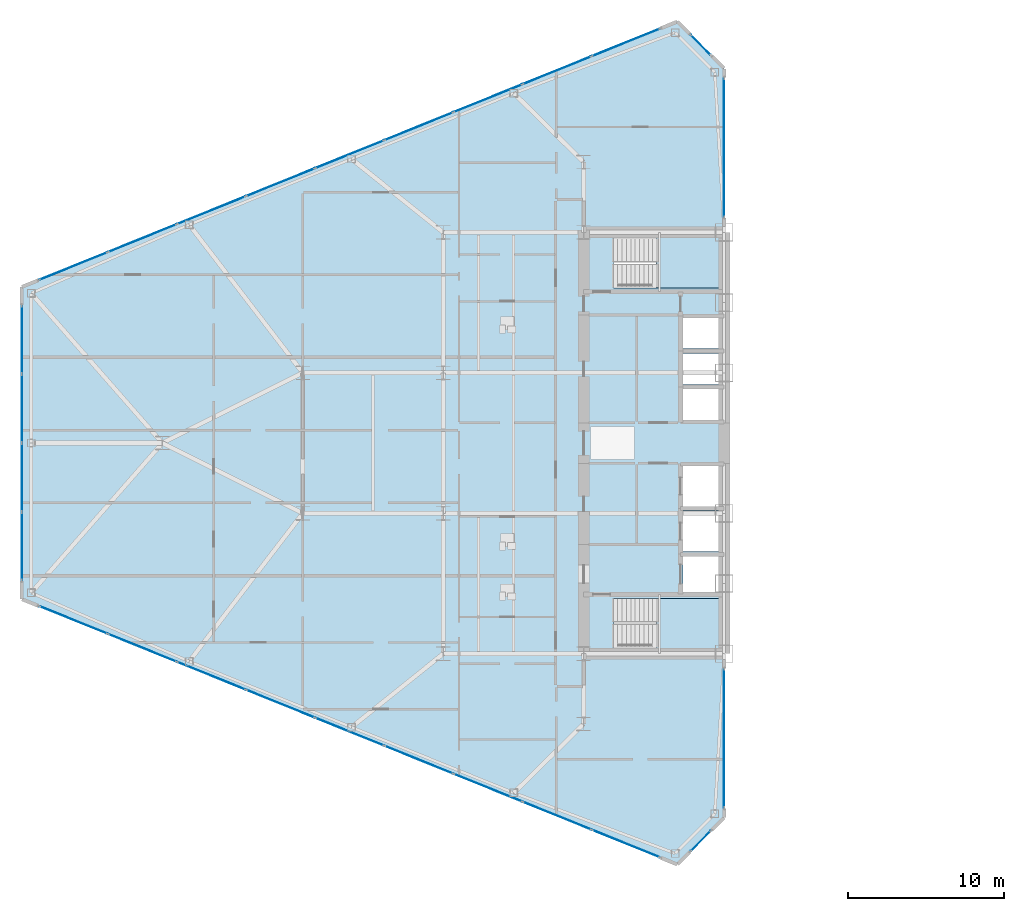
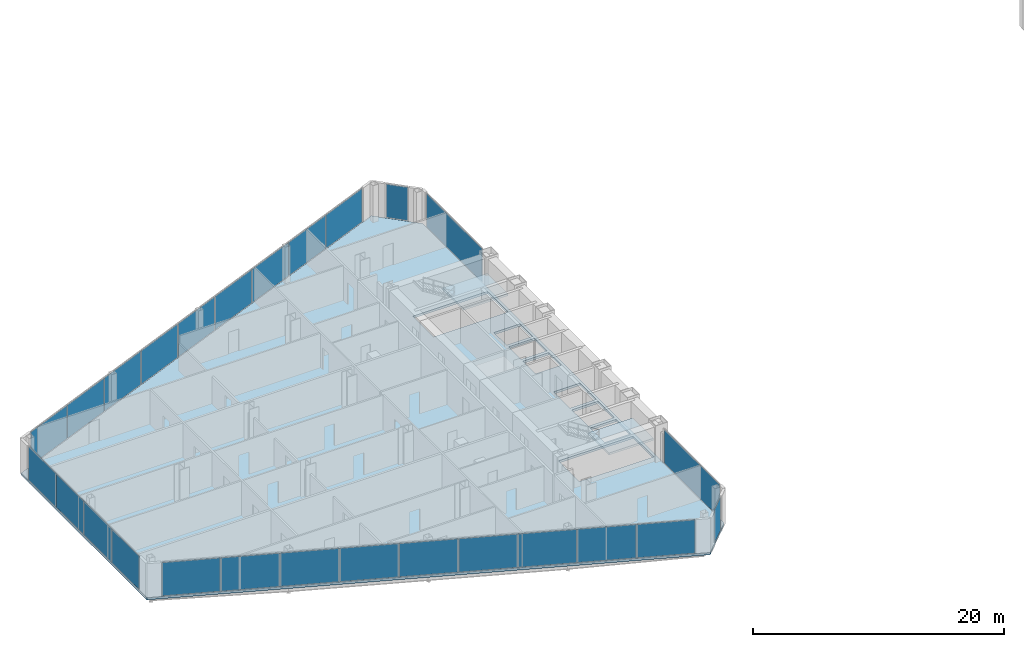
# One storey, part 15 of 25: 26 plates, 3 slabs, 9 elements without a shape of their own.
"""IFC4 building model written with IfcOpenShell, lengths in metres."""

import ifcopenshell
import ifcopenshell.guid

model = None  # the IFC model being written
_history = None  # IfcOwnerHistory: only IFC2X3 demands one
_inside = {}  # id of a spatial element -> (the spatial element, [elements in it])
_under = {}  # id of a project, library or spatial element -> (it, [spatial elements below it])
_declared = {}  # id of a project -> (the project, [libraries it declares])
_typed = {}  # id of a type object -> (the type object, [elements of that type])
_made_of = {}  # id of a material, layer set ... -> (it, [elements and type objects made of it])


def new_model(schema):
    """Start an empty IFC model of exactly this schema.

    Asked for "IFC4X3", IfcOpenShell would pick the latest addendum, in which some entities
    have other attributes; the version numbers below select the first issue.
    IFC2X3 requires an IfcOwnerHistory on every rooted entity: one is made here for all.
    """
    global model, _history
    if schema == "IFC4X3":
        model = ifcopenshell.file(schema_version=(4, 3, 0, 0))
    else:
        model = ifcopenshell.file(schema=schema)
    _inside.clear()
    _under.clear()
    _declared.clear()
    _typed.clear()
    _made_of.clear()
    _history = None
    if model.schema == "IFC2X3":
        org = make("IfcOrganization", Name="unknown")
        user = make(
            "IfcPersonAndOrganization",
            ThePerson=make("IfcPerson", FamilyName="unknown"),
            TheOrganization=org,
        )
        app = make(
            "IfcApplication",
            ApplicationDeveloper=org,
            Version="unknown",
            ApplicationFullName="unknown",
            ApplicationIdentifier="unknown",
        )
        _history = make(
            "IfcOwnerHistory",
            OwningUser=user,
            OwningApplication=app,
            ChangeAction="ADDED",
            CreationDate=0,
        )
    return model


def make(cls, **values):
    """One entity of the class cls with the attributes given. An attribute that is None is left unset."""
    return model.create_entity(
        cls, **{name: value for name, value in values.items() if value is not None}
    )


def rooted(cls, **values):
    """An entity with a GlobalId (a new one), such as an element, a storey or a relation."""
    return make(cls, GlobalId=ifcopenshell.guid.new(), OwnerHistory=_history, **values)


def si_unit(unit_type, name, prefix=None):
    """IfcSIUnit, for example si_unit("LENGTHUNIT", "METRE", prefix="MILLI")."""
    return make("IfcSIUnit", UnitType=unit_type, Prefix=prefix, Name=name)


def assignment(units):
    """IfcUnitAssignment: the units of a project."""
    return None if units is None else make("IfcUnitAssignment", Units=units)


def point(xyz):
    """IfcCartesianPoint."""
    return None if xyz is None else make("IfcCartesianPoint", Coordinates=xyz)


def direction(xyz):
    """IfcDirection."""
    return None if xyz is None else make("IfcDirection", DirectionRatios=xyz)


def frame(location, z_axis=None, x_axis=None):
    """IfcAxis2Placement3D, a coordinate frame: its origin and axes. An axis left out is left unset."""
    return make(
        "IfcAxis2Placement3D",
        Location=point(location),
        Axis=direction(z_axis),
        RefDirection=direction(x_axis),
    )


def frame_2d(location, x_axis=None):
    """IfcAxis2Placement2D, a coordinate frame in the plane: its origin and x axis."""
    return make(
        "IfcAxis2Placement2D", Location=point(location), RefDirection=direction(x_axis)
    )


def origin():
    """The frame at (0, 0, 0) with its axes left unset."""
    return frame((0.0, 0.0, 0.0))


def origin_2d():
    """The frame at (0, 0) in the plane with its x axis left unset."""
    return frame_2d((0.0, 0.0))


def place(relative_to, where):
    """IfcLocalPlacement: puts the frame where relative to a parent placement (None: the world)."""
    return make(
        "IfcLocalPlacement", PlacementRelTo=relative_to, RelativePlacement=where
    )


def context(
    kind, dimensions, precision=None, world=None, true_north=None, identifier=None
):
    """IfcGeometricRepresentationContext, for example the 3D "Model" context."""
    return make(
        "IfcGeometricRepresentationContext",
        ContextIdentifier=identifier,
        ContextType=kind,
        CoordinateSpaceDimension=dimensions,
        Precision=precision,
        WorldCoordinateSystem=world,
        TrueNorth=true_north,
    )


def subcontext(parent, identifier, kind, view, scale=None):
    """IfcGeometricRepresentationSubContext, for example "Body" below "Model"."""
    return make(
        "IfcGeometricRepresentationSubContext",
        ContextIdentifier=identifier,
        ContextType=kind,
        ParentContext=parent,
        TargetScale=scale,
        TargetView=view,
    )


def project(units=None, contexts=None):
    """IfcProject with its units and contexts."""
    return rooted(
        "IfcProject",
        Name="project",
        RepresentationContexts=contexts,
        UnitsInContext=assignment(units),
    )


def spatial(cls, under=None, at=None, **own):
    """A site, building, storey or space (cls), placed at a placement, below another one or the project."""
    s = rooted(cls, ObjectPlacement=at, **own)
    if under is not None:
        _under.setdefault(under.id(), (under, []))[1].append(s)
    return s


def polyline(points):
    """IfcPolyline through the points."""
    return make("IfcPolyline", Points=[point(p) for p in points])


def profile(cls, at=None, kind="AREA", **sizes):
    """A parametric profile (cls). Its sizes go by their IFC names, for example OverallWidth=200.0."""
    return make(cls, ProfileType=kind, Position=at, **sizes)


def rectangle(**sizes):
    """IfcRectangleProfileDef."""
    return profile("IfcRectangleProfileDef", **sizes)


def outline(outer, holes=None, kind="AREA"):
    """IfcArbitraryClosedProfileDef: a profile drawn as a closed curve; with holes, ...WithVoids."""
    if holes is None:
        return make("IfcArbitraryClosedProfileDef", ProfileType=kind, OuterCurve=outer)
    return make(
        "IfcArbitraryProfileDefWithVoids",
        ProfileType=kind,
        OuterCurve=outer,
        InnerCurves=holes,
    )


def extrude(swept, where, along, depth):
    """IfcExtrudedAreaSolid: the profile swept, set in the frame where, extruded along a direction by depth."""
    return make(
        "IfcExtrudedAreaSolid",
        SweptArea=swept,
        Position=where,
        ExtrudedDirection=direction(along),
        Depth=depth,
    )


def shape(context_of_items, identifier, shape_type, items):
    """IfcShapeRepresentation: the items that make up one representation, for example the "Body"."""
    return make(
        "IfcShapeRepresentation",
        ContextOfItems=context_of_items,
        RepresentationIdentifier=identifier,
        RepresentationType=shape_type,
        Items=items,
    )


def source(mapping_origin, context_of_items, identifier, shape_type, items):
    """IfcRepresentationMap: a shape defined once, which mapped items show again and again."""
    return make(
        "IfcRepresentationMap",
        MappingOrigin=mapping_origin,
        MappedRepresentation=shape(context_of_items, identifier, shape_type, items),
    )


def transform(
    local_origin,
    x_axis=None,
    y_axis=None,
    z_axis=None,
    scale=None,
    scale2=None,
    scale3=None,
    uniform=True,
):
    """IfcCartesianTransformationOperator3D, or its non-uniform kind. x_axis, y_axis, z_axis: its Axis1, 2, 3."""
    if uniform:
        return make(
            "IfcCartesianTransformationOperator3D",
            Axis1=direction(x_axis),
            Axis2=direction(y_axis),
            LocalOrigin=point(local_origin),
            Scale=scale,
            Axis3=direction(z_axis),
        )
    return make(
        "IfcCartesianTransformationOperator3DnonUniform",
        Axis1=direction(x_axis),
        Axis2=direction(y_axis),
        LocalOrigin=point(local_origin),
        Scale=scale,
        Axis3=direction(z_axis),
        Scale2=scale2,
        Scale3=scale3,
    )


def mapped(mapping_source, mapping_target):
    """IfcMappedItem: shows the shape of a source again, moved by a transform."""
    return make(
        "IfcMappedItem", MappingSource=mapping_source, MappingTarget=mapping_target
    )


def material(Name=None, Category=None):
    """IfcMaterial."""
    return make("IfcMaterial", Name=Name, Category=Category)


def layer(
    of_material, thickness, ventilated=None, Name=None, Category=None, Priority=None
):
    """IfcMaterialLayer: one layer of a wall or slab, of a material (None: an air gap)."""
    return make(
        "IfcMaterialLayer",
        Material=of_material,
        LayerThickness=thickness,
        IsVentilated=ventilated,
        Name=Name,
        Category=Category,
        Priority=Priority,
    )


def layer_set(layers, Name=None):
    """IfcMaterialLayerSet."""
    return make("IfcMaterialLayerSet", MaterialLayers=layers, LayerSetName=Name)


def made_of(thing, what):
    """Note that an element or type object is made of a material, layer set ...; save() writes the relation."""
    if what is not None:
        _made_of.setdefault(what.id(), (what, []))[1].append(thing)
    return thing


def type_object(cls, material=None, **own):
    """A type object (cls), such as IfcWallType, which elements share."""
    return made_of(rooted(cls, **own), material)


def type_shapes(of_type, sources):
    """Give a type object the sources (RepresentationMaps) that its elements show as mapped items."""
    of_type.RepresentationMaps = sources


def element(
    cls,
    number,
    at=None,
    inside=None,
    cuts=None,
    type_object=None,
    material=None,
    context=None,
    identifier="Body",
    shape_type=None,
    held_by="IfcProductDefinitionShape",
    body=None,
    shapes=None,
    **own,
):
    """One element of the class cls, such as IfcWall. Its Tag is "e" and its number.

    at: its placement. inside: the storey or other place that contains it. cuts: it is an
    opening in that element (IfcRelVoidsElement). A single representation is given by context,
    identifier, shape_type and body (its items); several are given by shapes. held_by: the class
    of the entity that holds the representations. save() writes the other relations.
    """
    e = rooted(cls, Tag="e%d" % number, ObjectPlacement=at, **own)
    if body is not None:
        shapes = [shape(context, identifier, shape_type, body)]
    if shapes is not None:
        e.Representation = make(held_by, Representations=shapes)
    if inside is not None:
        _inside.setdefault(inside.id(), (inside, []))[1].append(e)
    if cuts is not None:
        rooted(
            "IfcRelVoidsElement", RelatingBuildingElement=cuts, RelatedOpeningElement=e
        )
    if type_object is not None:
        _typed.setdefault(type_object.id(), (type_object, []))[1].append(e)
    return made_of(e, material)


def aggregate(whole, parts):
    """IfcRelAggregates: a whole, such as a stair, and the parts it consists of."""
    return rooted("IfcRelAggregates", RelatingObject=whole, RelatedObjects=parts)


def save(model, path):
    """Write the relations noted so far, then the file.

    IfcRelAggregates (storeys below a building ...), IfcRelContainedInSpatialStructure (elements
    in a storey), IfcRelDefinesByType, IfcRelAssociatesMaterial and IfcRelDeclares: one each for
    every whole, place, type object, material and project.
    """
    for whole, parts in _under.values():
        aggregate(whole, parts)
    for where, things in _inside.values():
        rooted(
            "IfcRelContainedInSpatialStructure",
            RelatedElements=things,
            RelatingStructure=where,
        )
    for kind, things in _typed.values():
        rooted("IfcRelDefinesByType", RelatedObjects=things, RelatingType=kind)
    for what, things in _made_of.values():
        rooted("IfcRelAssociatesMaterial", RelatedObjects=things, RelatingMaterial=what)
    for by, libraries in _declared.values():
        rooted("IfcRelDeclares", RelatingContext=by, RelatedDefinitions=libraries)
    model.write(path)


model = new_model("IFC4")

# Units and contexts
model_context = context("Model", 3, precision=1e-05, world=origin(), true_north=direction((0.0, 1.0)))
body_context = subcontext(model_context, "Body", "Model", "MODEL_VIEW")
ifc_project = project(units=[si_unit("LENGTHUNIT", "METRE"), si_unit("AREAUNIT", "SQUARE_METRE"), si_unit("VOLUMEUNIT", "CUBIC_METRE"), si_unit("PLANEANGLEUNIT", "RADIAN"), si_unit("MASSUNIT", "GRAM", prefix="KILO")], contexts=[model_context])

# Site, building, storey
site_placement = place(None, origin())
site = spatial("IfcSite", under=ifc_project, at=site_placement, CompositionType="ELEMENT")
building_placement = place(site_placement, origin())
building = spatial("IfcBuilding", under=site, at=building_placement, Name="Seokmaru Belvedere", CompositionType="ELEMENT")
storey_placement = place(building_placement, frame((0.0, 0.0, 44.10009765625)))
storey = spatial("IfcBuildingStorey", under=building, at=storey_placement, Name="L11", CompositionType="ELEMENT", Elevation=44.10009765625)

# Stair, slab
ifc_material_1 = material(Name="Concrete C40 (40 MPa)", Category="concrete")
stair_type = type_object("IfcStairType", Name="Typical Tower Core Dog-Leg Stair 3600", PredefinedType="TWO_STRAIGHT_RUN_STAIR", material=ifc_material_1)
stair_1_placement = place(storey_placement, origin())
stair_1 = element("IfcStair", 1, at=stair_1_placement, inside=storey, type_object=stair_type, Name="L11 Special Escape Stair ST-W1", PredefinedType="TWO_STRAIGHT_RUN_STAIR")
ifc_layer_1 = layer(ifc_material_1, 0.199951171875)
ifc_layer_set_1 = layer_set([ifc_layer_1], Name="Concrete C40 (40 MPa)")
slab_type_1 = type_object("IfcSlabType", Name="Reinforced Concrete Stair Landing Slab 200", PredefinedType="LANDING", material=ifc_layer_set_1)
slab_1_placement = place(storey_placement, frame((0.0, 0.0, 1.599853515625)))
slab_1 = element("IfcSlab", 2, at=slab_1_placement, type_object=slab_type_1, Name="ST-W1 landing 1", PredefinedType="LANDING", context=body_context, shape_type="SweptSolid", body=[
    extrude(outline(polyline([(-31.8798828125, -13.239990234375), (-27.760009765625, -13.239990234375), (-27.760009765625, -9.949951171875), (-31.8798828125, -9.949951171875), (-31.8798828125, -13.239990234375)])), origin(), (0.0, 0.0, 1.0), 0.199951171875),
])
aggregate(stair_1, [slab_1])

stair_2_placement = place(storey_placement, origin())
stair_2 = element("IfcStair", 3, at=stair_2_placement, inside=storey, type_object=stair_type, Name="L11 Special Escape Stair ST-W2", PredefinedType="TWO_STRAIGHT_RUN_STAIR")
slab_2_placement = place(storey_placement, frame((0.0, 0.0, 1.599853515625)))
slab_2 = element("IfcSlab", 4, at=slab_2_placement, type_object=slab_type_1, Name="ST-W2 landing 1", PredefinedType="LANDING", context=body_context, shape_type="SweptSolid", body=[
    extrude(outline(polyline([(-31.8798828125, 9.949951171875), (-27.760009765625, 9.949951171875), (-27.760009765625, 13.239990234375), (-31.8798828125, 13.239990234375), (-31.8798828125, 9.949951171875)])), origin(), (0.0, 0.0, 1.0), 0.199951171875),
])
aggregate(stair_2, [slab_2])

# Slab
ifc_layer_2 = layer(ifc_material_1, 0.219970703125)
ifc_layer_set_2 = layer_set([ifc_layer_2], Name="Concrete C40 (40 MPa)")
slab_type_2 = type_object("IfcSlabType", Name="Typical Tower Composite Floor Slab 220", PredefinedType="FLOOR", material=ifc_layer_set_2)
slab_3_placement = place(storey_placement, frame((0.0, 0.0, -0.22021484375)))
element("IfcSlab", 5, at=slab_3_placement, inside=storey, type_object=slab_type_2, Name="L11 West Leg Floor Slab", PredefinedType="FLOOR", context=body_context, shape_type="SweptSolid", body=[
    extrude(outline(polyline([(-27.5, -24.0), (-27.5, 24.0), (-30.5, 27.0), (-72.5, 10.0), (-72.5, -10.0), (-30.5, -27.0), (-27.5, -24.0)]), holes=[polyline([(-34.60009765625, -13.25), (-27.75, -13.25), (-27.75, -9.949951171875), (-34.60009765625, -9.949951171875), (-34.60009765625, -13.25)]), polyline([(-34.60009765625, 9.949951171875), (-27.75, 9.949951171875), (-27.75, 13.25), (-34.60009765625, 13.25), (-34.60009765625, 9.949951171875)]), polyline([(-30.14990234375, -9.550048828125), (-27.75, -9.550048828125), (-27.75, -7.25), (-30.14990234375, -7.25), (-30.14990234375, -9.550048828125)]), polyline([(-30.14990234375, -6.949951171875), (-27.75, -6.949951171875), (-27.75, -4.35009765625), (-30.14990234375, -4.35009765625), (-30.14990234375, -6.949951171875)]), polyline([(-30.14990234375, -4.050048828125), (-27.75, -4.050048828125), (-27.75, -1.449951171875), (-30.14990234375, -1.449951171875), (-30.14990234375, -4.050048828125)]), polyline([(-30.14990234375, 1.449951171875), (-27.75, 1.449951171875), (-27.75, 3.449951171875), (-30.14990234375, 3.449951171875), (-30.14990234375, 1.449951171875)]), polyline([(-30.14990234375, 3.75), (-27.75, 3.75), (-27.75, 5.75), (-30.14990234375, 5.75), (-30.14990234375, 3.75)]), polyline([(-30.14990234375, 6.050048828125), (-27.75, 6.050048828125), (-27.75, 8.050048828125), (-30.14990234375, 8.050048828125), (-30.14990234375, 6.050048828125)])]), origin(), (0.0, 0.0, 1.0), 0.22021484375),
])

# Curtain wall, plate
ifc_material_2 = material(Name="Bronze Triple Insulating Glass", Category="glass")
ifc_layer_3 = layer(ifc_material_2, 0.2099609375)
ifc_layer_set_3 = layer_set([ifc_layer_3], Name="Bronze Triple Insulating Glass")
curtain_wall_type = type_object("IfcCurtainWallType", Name="Low-Rise Faceted Crystal Curtain Wall System CW-2", PredefinedType="NOTDEFINED", material=ifc_layer_set_3)
curtain_wall_1_placement = place(storey_placement, origin())
curtain_wall_1 = element("IfcCurtainWall", 6, at=curtain_wall_1_placement, inside=storey, type_object=curtain_wall_type, Name="L11 Curtain Wall WSP_1", PredefinedType="NOTDEFINED")
ifc_layer_4 = layer(ifc_material_2, 0.035888671875)
ifc_layer_set_4 = layer_set([ifc_layer_4], Name="Bronze Triple Insulating Glass")
plate_type = type_object("IfcPlateType", Name="Bronze Triple Vision Glazing Panel 36", PredefinedType="CURTAIN_PANEL", material=ifc_layer_set_4)
shared_shape_1 = source(origin(), body_context, "Body", "SweptSolid", [
    extrude(rectangle(XDim=8.85009765625, YDim=0.035888671875, at=origin_2d()), origin(), (0.0, 0.0, 1.0), 3.239990234375),
])
plate_1_placement = place(storey_placement, frame((-27.5, -18.929931640625, 0.06982421875), z_axis=(0.0, 0.0, 1.0), x_axis=(0.0, 1.0, 0.0)))
plate_1 = element("IfcPlate", 7, at=plate_1_placement, type_object=plate_type, Name="CW:L11:WSP_1 Glazing Panel 1-1", PredefinedType="CURTAIN_PANEL", context=body_context, shape_type="MappedRepresentation", body=[
    mapped(shared_shape_1, transform((0.0, 0.0, 0.0), scale=1.0)),
])
aggregate(curtain_wall_1, [plate_1])

curtain_wall_2_placement = place(storey_placement, origin())
curtain_wall_2 = element("IfcCurtainWall", 8, at=curtain_wall_2_placement, inside=storey, type_object=curtain_wall_type, Name="L11 Curtain Wall WSP_2", PredefinedType="NOTDEFINED")
plate_2_placement = place(storey_placement, frame((-27.5, 18.929931640625, 0.06982421875), z_axis=(0.0, 0.0, 1.0), x_axis=(0.0, 1.0, 0.0)))
plate_2 = element("IfcPlate", 9, at=plate_2_placement, type_object=plate_type, Name="CW:L11:WSP_2 Glazing Panel 1-1", PredefinedType="CURTAIN_PANEL", context=body_context, shape_type="MappedRepresentation", body=[
    mapped(shared_shape_1, transform((0.0, 0.0, 0.0), scale=1.0)),
])
aggregate(curtain_wall_2, [plate_2])

curtain_wall_3_placement = place(storey_placement, origin())
curtain_wall_3 = element("IfcCurtainWall", 10, at=curtain_wall_3_placement, inside=storey, type_object=curtain_wall_type, Name="L11 Curtain Wall WF2", PredefinedType="NOTDEFINED")
shared_shape_2 = source(origin(), body_context, "Body", "SweptSolid", [
    extrude(rectangle(XDim=1.79248046875, YDim=0.035888671875, at=origin_2d()), origin(), (0.0, 0.0, 1.0), 3.239990234375),
])
plate_3_placement = place(storey_placement, frame((-29.0, 25.5, 0.06982421875), z_axis=(0.0, 0.0, 1.0), x_axis=(-0.707106781187, 0.707106781187, 0.0)))
plate_3 = element("IfcPlate", 11, at=plate_3_placement, type_object=plate_type, Name="CW:L11:WF2 Glazing Panel 1-1", PredefinedType="CURTAIN_PANEL", context=body_context, shape_type="MappedRepresentation", body=[
    mapped(shared_shape_2, transform((0.0, 0.0, 0.0), scale=1.0)),
])
aggregate(curtain_wall_3, [plate_3])

curtain_wall_4_placement = place(storey_placement, origin())
curtain_wall_4 = element("IfcCurtainWall", 12, at=curtain_wall_4_placement, inside=storey, type_object=curtain_wall_type, Name="L11 Curtain Wall WF6", PredefinedType="NOTDEFINED")
plate_4_placement = place(storey_placement, frame((-29.0, -25.5, 0.06982421875), z_axis=(0.0, 0.0, 1.0), x_axis=(0.707106781187, 0.707106781187, 0.0)))
plate_4 = element("IfcPlate", 13, at=plate_4_placement, type_object=plate_type, Name="CW:L11:WF6 Glazing Panel 1-1", PredefinedType="CURTAIN_PANEL", context=body_context, shape_type="MappedRepresentation", body=[
    mapped(shared_shape_2, transform((0.0, 0.0, 0.0), scale=1.0)),
])
aggregate(curtain_wall_4, [plate_4])

# Curtain wall, plates
curtain_wall_5_placement = place(storey_placement, origin())
curtain_wall_5 = element("IfcCurtainWall", 14, at=curtain_wall_5_placement, inside=storey, type_object=curtain_wall_type, Name="L11 Curtain Wall WF3", PredefinedType="NOTDEFINED")
shared_shape_3 = source(origin(), body_context, "Body", "SweptSolid", [
    extrude(rectangle(XDim=4.66650390625, YDim=0.035888671875, at=origin_2d()), origin(), (0.0, 0.0, 1.0), 3.239990234375),
])
plate_5_placement = place(storey_placement, frame((-33.79833984375, 25.6650390625, 0.06982421875), z_axis=(0.0, 0.0, 1.0), x_axis=(-0.926946989637, -0.375192321888, 0.0)))
plate_5 = element("IfcPlate", 15, at=plate_5_placement, type_object=plate_type, Name="CW:L11:WF3 Glazing Panel 1-1", PredefinedType="CURTAIN_PANEL", context=body_context, shape_type="MappedRepresentation", body=[
    mapped(shared_shape_3, transform((0.0, 0.0, 0.0), scale=1.0)),
])
plate_6_placement = place(storey_placement, frame((-69.20166015625, 11.3349609375, 0.06982421875), z_axis=(0.0, 0.0, 1.0), x_axis=(-0.926946989637, -0.375192321888, 0.0)))
plate_6 = element("IfcPlate", 16, at=plate_6_placement, type_object=plate_type, Name="CW:L11:WF3 Glazing Panel 9-1", PredefinedType="CURTAIN_PANEL", context=body_context, shape_type="MappedRepresentation", body=[
    mapped(shared_shape_3, transform((0.0, 0.0, 0.0), scale=1.0)),
])

curtain_wall_6_placement = place(storey_placement, origin())
curtain_wall_6 = element("IfcCurtainWall", 17, at=curtain_wall_6_placement, inside=storey, type_object=curtain_wall_type, Name="L11 Curtain Wall WF5", PredefinedType="NOTDEFINED")
plate_7_placement = place(storey_placement, frame((-69.20166015625, -11.3349609375, 0.06982421875), z_axis=(0.0, 0.0, 1.0), x_axis=(0.926946989637, -0.375192321888, 0.0)))
plate_7 = element("IfcPlate", 18, at=plate_7_placement, type_object=plate_type, Name="CW:L11:WF5 Glazing Panel 1-1", PredefinedType="CURTAIN_PANEL", context=body_context, shape_type="MappedRepresentation", body=[
    mapped(shared_shape_3, transform((0.0, 0.0, 0.0), scale=1.0)),
])
plate_8_placement = place(storey_placement, frame((-33.79833984375, -25.6650390625, 0.06982421875), z_axis=(0.0, 0.0, 1.0), x_axis=(0.926946989637, -0.375192321888, 0.0)))
plate_8 = element("IfcPlate", 19, at=plate_8_placement, type_object=plate_type, Name="CW:L11:WF5 Glazing Panel 9-1", PredefinedType="CURTAIN_PANEL", context=body_context, shape_type="MappedRepresentation", body=[
    mapped(shared_shape_3, transform((0.0, 0.0, 0.0), scale=1.0)),
])

# Plate
shared_shape_4 = source(origin(), body_context, "Body", "SweptSolid", [
    extrude(rectangle(XDim=4.703857421875, YDim=0.035888671875, at=origin_2d()), origin(), (0.0, 0.0, 1.0), 3.239990234375),
])
plate_9_placement = place(storey_placement, frame((-38.210693359375, 23.87890625, 0.06982421875), z_axis=(0.0, 0.0, 1.0), x_axis=(-0.926946989637, -0.375192321888, 0.0)))
plate_9 = element("IfcPlate", 20, at=plate_9_placement, type_object=plate_type, Name="CW:L11:WF3 Glazing Panel 2-1", PredefinedType="CURTAIN_PANEL", context=body_context, shape_type="MappedRepresentation", body=[
    mapped(shared_shape_4, transform((0.0, 0.0, 0.0), scale=1.0)),
])

plate_10_placement = place(storey_placement, frame((-42.640380859375, 22.0859375, 0.06982421875), z_axis=(0.0, 0.0, 1.0), x_axis=(-0.926946989637, -0.375192321888, 0.0)))
plate_10 = element("IfcPlate", 21, at=plate_10_placement, type_object=plate_type, Name="CW:L11:WF3 Glazing Panel 3-1", PredefinedType="CURTAIN_PANEL", context=body_context, shape_type="MappedRepresentation", body=[
    mapped(shared_shape_4, transform((0.0, 0.0, 0.0), scale=1.0)),
])

plate_11_placement = place(storey_placement, frame((-47.0703125, 20.29296875, 0.06982421875), z_axis=(0.0, 0.0, 1.0), x_axis=(-0.926946989637, -0.375192321888, 0.0)))
plate_11 = element("IfcPlate", 22, at=plate_11_placement, type_object=plate_type, Name="CW:L11:WF3 Glazing Panel 4-1", PredefinedType="CURTAIN_PANEL", context=body_context, shape_type="MappedRepresentation", body=[
    mapped(shared_shape_4, transform((0.0, 0.0, 0.0), scale=1.0)),
])

plate_12_placement = place(storey_placement, frame((-51.5, 18.5, 0.06982421875), z_axis=(0.0, 0.0, 1.0), x_axis=(-0.926946989637, -0.375192321888, 0.0)))
plate_12 = element("IfcPlate", 23, at=plate_12_placement, type_object=plate_type, Name="CW:L11:WF3 Glazing Panel 5-1", PredefinedType="CURTAIN_PANEL", context=body_context, shape_type="MappedRepresentation", body=[
    mapped(shared_shape_4, transform((0.0, 0.0, 0.0), scale=1.0)),
])

plate_13_placement = place(storey_placement, frame((-55.9296875, 16.70703125, 0.06982421875), z_axis=(0.0, 0.0, 1.0), x_axis=(-0.926946989637, -0.375192321888, 0.0)))
plate_13 = element("IfcPlate", 24, at=plate_13_placement, type_object=plate_type, Name="CW:L11:WF3 Glazing Panel 6-1", PredefinedType="CURTAIN_PANEL", context=body_context, shape_type="MappedRepresentation", body=[
    mapped(shared_shape_4, transform((0.0, 0.0, 0.0), scale=1.0)),
])

plate_14_placement = place(storey_placement, frame((-60.359619140625, 14.9140625, 0.06982421875), z_axis=(0.0, 0.0, 1.0), x_axis=(-0.926946989637, -0.375192321888, 0.0)))
plate_14 = element("IfcPlate", 25, at=plate_14_placement, type_object=plate_type, Name="CW:L11:WF3 Glazing Panel 7-1", PredefinedType="CURTAIN_PANEL", context=body_context, shape_type="MappedRepresentation", body=[
    mapped(shared_shape_4, transform((0.0, 0.0, 0.0), scale=1.0)),
])

plate_15_placement = place(storey_placement, frame((-64.789306640625, 13.12109375, 0.06982421875), z_axis=(0.0, 0.0, 1.0), x_axis=(-0.926946989637, -0.375192321888, 0.0)))
plate_15 = element("IfcPlate", 26, at=plate_15_placement, type_object=plate_type, Name="CW:L11:WF3 Glazing Panel 8-1", PredefinedType="CURTAIN_PANEL", context=body_context, shape_type="MappedRepresentation", body=[
    mapped(shared_shape_4, transform((0.0, 0.0, 0.0), scale=1.0)),
])

aggregate(curtain_wall_5, [plate_5, plate_9, plate_10, plate_11, plate_12, plate_13, plate_14, plate_15, plate_6])

plate_16_placement = place(storey_placement, frame((-64.789306640625, -13.12109375, 0.06982421875), z_axis=(0.0, 0.0, 1.0), x_axis=(0.926946989637, -0.375192321888, 0.0)))
plate_16 = element("IfcPlate", 27, at=plate_16_placement, type_object=plate_type, Name="CW:L11:WF5 Glazing Panel 2-1", PredefinedType="CURTAIN_PANEL", context=body_context, shape_type="MappedRepresentation", body=[
    mapped(shared_shape_4, transform((0.0, 0.0, 0.0), scale=1.0)),
])

plate_17_placement = place(storey_placement, frame((-60.359619140625, -14.9140625, 0.06982421875), z_axis=(0.0, 0.0, 1.0), x_axis=(0.926946989637, -0.375192321888, 0.0)))
plate_17 = element("IfcPlate", 28, at=plate_17_placement, type_object=plate_type, Name="CW:L11:WF5 Glazing Panel 3-1", PredefinedType="CURTAIN_PANEL", context=body_context, shape_type="MappedRepresentation", body=[
    mapped(shared_shape_4, transform((0.0, 0.0, 0.0), scale=1.0)),
])

plate_18_placement = place(storey_placement, frame((-55.9296875, -16.70703125, 0.06982421875), z_axis=(0.0, 0.0, 1.0), x_axis=(0.926946989637, -0.375192321888, 0.0)))
plate_18 = element("IfcPlate", 29, at=plate_18_placement, type_object=plate_type, Name="CW:L11:WF5 Glazing Panel 4-1", PredefinedType="CURTAIN_PANEL", context=body_context, shape_type="MappedRepresentation", body=[
    mapped(shared_shape_4, transform((0.0, 0.0, 0.0), scale=1.0)),
])

plate_19_placement = place(storey_placement, frame((-51.5, -18.5, 0.06982421875), z_axis=(0.0, 0.0, 1.0), x_axis=(0.926946989637, -0.375192321888, 0.0)))
plate_19 = element("IfcPlate", 30, at=plate_19_placement, type_object=plate_type, Name="CW:L11:WF5 Glazing Panel 5-1", PredefinedType="CURTAIN_PANEL", context=body_context, shape_type="MappedRepresentation", body=[
    mapped(shared_shape_4, transform((0.0, 0.0, 0.0), scale=1.0)),
])

plate_20_placement = place(storey_placement, frame((-47.0703125, -20.29296875, 0.06982421875), z_axis=(0.0, 0.0, 1.0), x_axis=(0.926946989637, -0.375192321888, 0.0)))
plate_20 = element("IfcPlate", 31, at=plate_20_placement, type_object=plate_type, Name="CW:L11:WF5 Glazing Panel 6-1", PredefinedType="CURTAIN_PANEL", context=body_context, shape_type="MappedRepresentation", body=[
    mapped(shared_shape_4, transform((0.0, 0.0, 0.0), scale=1.0)),
])

plate_21_placement = place(storey_placement, frame((-42.640380859375, -22.0859375, 0.06982421875), z_axis=(0.0, 0.0, 1.0), x_axis=(0.926946989637, -0.375192321888, 0.0)))
plate_21 = element("IfcPlate", 32, at=plate_21_placement, type_object=plate_type, Name="CW:L11:WF5 Glazing Panel 7-1", PredefinedType="CURTAIN_PANEL", context=body_context, shape_type="MappedRepresentation", body=[
    mapped(shared_shape_4, transform((0.0, 0.0, 0.0), scale=1.0)),
])

plate_22_placement = place(storey_placement, frame((-38.210693359375, -23.87890625, 0.06982421875), z_axis=(0.0, 0.0, 1.0), x_axis=(0.926946989637, -0.375192321888, 0.0)))
plate_22 = element("IfcPlate", 33, at=plate_22_placement, type_object=plate_type, Name="CW:L11:WF5 Glazing Panel 8-1", PredefinedType="CURTAIN_PANEL", context=body_context, shape_type="MappedRepresentation", body=[
    mapped(shared_shape_4, transform((0.0, 0.0, 0.0), scale=1.0)),
])

aggregate(curtain_wall_6, [plate_7, plate_16, plate_17, plate_18, plate_19, plate_20, plate_21, plate_22, plate_8])

# Curtain wall, plates
curtain_wall_7_placement = place(storey_placement, origin())
curtain_wall_7 = element("IfcCurtainWall", 34, at=curtain_wall_7_placement, inside=storey, type_object=curtain_wall_type, Name="L11 Curtain Wall WF4", PredefinedType="NOTDEFINED")
shared_shape_5 = source(origin(), body_context, "Body", "SweptSolid", [
    extrude(rectangle(XDim=4.3125, YDim=0.035888671875, at=origin_2d()), origin(), (0.0, 0.0, 1.0), 3.239990234375),
])
plate_23_placement = place(storey_placement, frame((-72.5, 6.61865234375, 0.06982421875), z_axis=(0.0, 0.0, 1.0), x_axis=(0.0, -1.0, 0.0)))
plate_23 = element("IfcPlate", 35, at=plate_23_placement, type_object=plate_type, Name="CW:L11:WF4 Glazing Panel 1-1", PredefinedType="CURTAIN_PANEL", context=body_context, shape_type="MappedRepresentation", body=[
    mapped(shared_shape_5, transform((0.0, 0.0, 0.0), scale=1.0)),
])
plate_24_placement = place(storey_placement, frame((-72.5, -6.61865234375, 0.06982421875), z_axis=(0.0, 0.0, 1.0), x_axis=(0.0, -1.0, 0.0)))
plate_24 = element("IfcPlate", 36, at=plate_24_placement, type_object=plate_type, Name="CW:L11:WF4 Glazing Panel 4-1", PredefinedType="CURTAIN_PANEL", context=body_context, shape_type="MappedRepresentation", body=[
    mapped(shared_shape_5, transform((0.0, 0.0, 0.0), scale=1.0)),
])
shared_shape_6 = source(origin(), body_context, "Body", "SweptSolid", [
    extrude(rectangle(XDim=4.35009765625, YDim=0.035888671875, at=origin_2d()), origin(), (0.0, 0.0, 1.0), 3.239990234375),
])
type_shapes(plate_type, [shared_shape_1, shared_shape_2, shared_shape_3, shared_shape_4, shared_shape_5, shared_shape_6])
plate_25_placement = place(storey_placement, frame((-72.5, 2.21240234375, 0.06982421875), z_axis=(0.0, 0.0, 1.0), x_axis=(0.0, -1.0, 0.0)))
plate_25 = element("IfcPlate", 37, at=plate_25_placement, type_object=plate_type, Name="CW:L11:WF4 Glazing Panel 2-1", PredefinedType="CURTAIN_PANEL", context=body_context, shape_type="MappedRepresentation", body=[
    mapped(shared_shape_6, transform((0.0, 0.0, 0.0), scale=1.0)),
])
plate_26_placement = place(storey_placement, frame((-72.5, -2.21240234375, 0.06982421875), z_axis=(0.0, 0.0, 1.0), x_axis=(0.0, -1.0, 0.0)))
plate_26 = element("IfcPlate", 38, at=plate_26_placement, type_object=plate_type, Name="CW:L11:WF4 Glazing Panel 3-1", PredefinedType="CURTAIN_PANEL", context=body_context, shape_type="MappedRepresentation", body=[
    mapped(shared_shape_6, transform((0.0, 0.0, 0.0), scale=1.0)),
])
aggregate(curtain_wall_7, [plate_23, plate_25, plate_26, plate_24])

save(model, "model.ifc")
